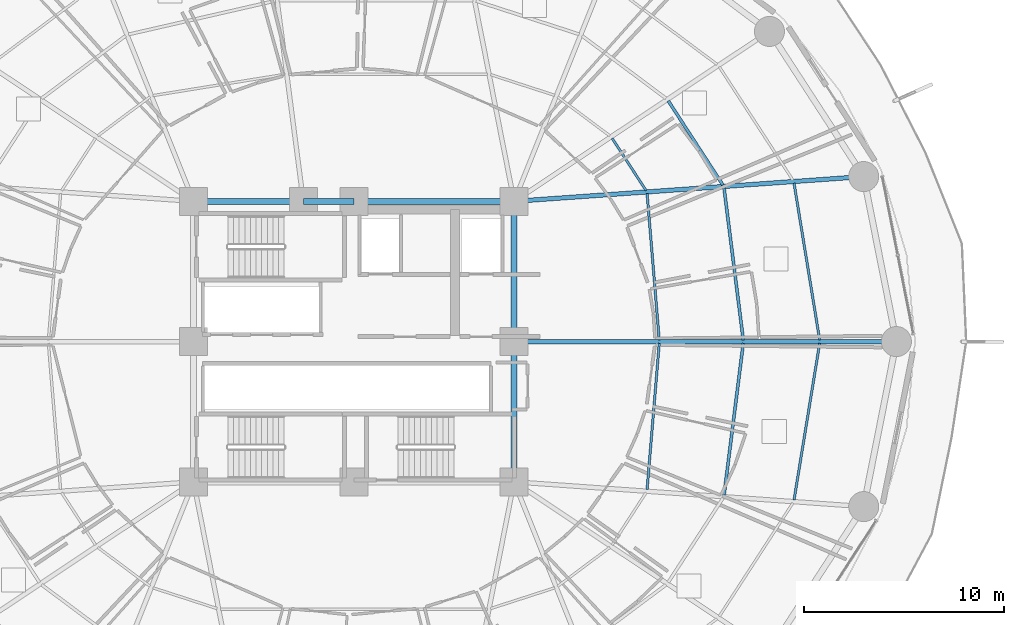
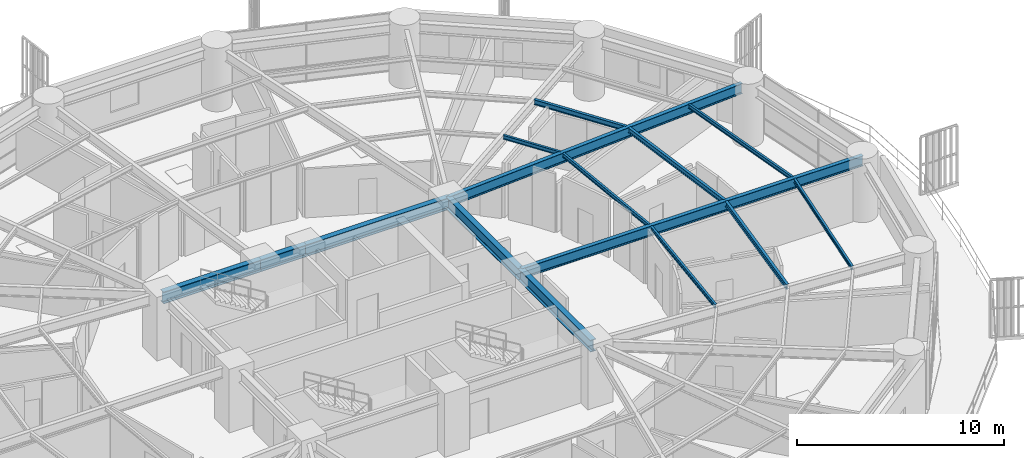
# One storey, part 12 of 35: 15 beams.
"""IFC4 building model written with IfcOpenShell, lengths in metres."""

from ifc_helpers import new_model, si_unit, direction, frame, origin, origin_2d, place, context, subcontext, project, spatial, i_section, extrude, material, material_profile, profile_set, type_object, element, save


model = new_model("IFC4")

# Units and contexts
model_context = context("Model", 3, precision=1e-05, world=origin(), true_north=direction((0.0, 1.0)))
body_context = subcontext(model_context, "Body", "Model", "MODEL_VIEW")
ifc_project = project(units=[si_unit("LENGTHUNIT", "METRE"), si_unit("AREAUNIT", "SQUARE_METRE"), si_unit("VOLUMEUNIT", "CUBIC_METRE"), si_unit("PLANEANGLEUNIT", "RADIAN"), si_unit("MASSUNIT", "GRAM", prefix="KILO")], contexts=[model_context])

# Site, building, storey
site_placement = place(None, origin())
site = spatial("IfcSite", under=ifc_project, at=site_placement, CompositionType="ELEMENT")
building_placement = place(site_placement, origin())
building = spatial("IfcBuilding", under=site, at=building_placement, Name="Kelanora Arch Commons", CompositionType="ELEMENT")
storey_placement = place(building_placement, frame((0.0, 0.0, 22.5)))
storey = spatial("IfcBuildingStorey", under=building, at=storey_placement, Name="L05", CompositionType="ELEMENT", Elevation=22.5)

# Beams
ifc_material = material(Name="Steel S355", Category="steel")
ifc_material_profile_1 = material_profile(ifc_material, i_section(OverallWidth=0.300048828125, OverallDepth=0.699951171875, WebThickness=0.01708984375, FlangeThickness=0.031982421875, FilletRadius=0.027099609375, at=origin_2d()), Name="HEB700")
ifc_profile_set_1 = profile_set([ifc_material_profile_1], Name="Steel S355")
beam_type_1 = type_object("IfcBeamType", Name="BM-CORE-HDR", PredefinedType="BEAM", material=ifc_profile_set_1)
for number, where, z_axis, x_axis, name in (
    (1, (82.0, 51.0, 3.139892578125), (0.0, 1.0, 0.0), (-1.0, 0.0, 0.0), "Core Header Beam 03 L05"),
    (2, (82.0, 58.0, 3.139892578125), (0.0, 1.0, 0.0), (-1.0, 0.0, 0.0), "Core Header Beam 04 L05"),
):
    element("IfcBeam", number, at=place(storey_placement, frame(where, z_axis=z_axis, x_axis=x_axis)), inside=storey, type_object=beam_type_1, Name=name, PredefinedType="BEAM", context=body_context, shape_type="SweptSolid", body=[
        extrude(i_section(OverallWidth=0.300048828125, OverallDepth=0.699951171875, WebThickness=0.01708984375, FlangeThickness=0.031982421875, FilletRadius=0.027099609375, at=origin_2d()), origin(), (0.0, 0.0, 1.0), 7.0),
    ])
beam_1_placement = place(storey_placement, frame((82.0, 65.0, 3.139892578125), z_axis=(-1.0, 0.0, 0.0), x_axis=(0.0, -1.0, 0.0)))
element("IfcBeam", 3, at=beam_1_placement, inside=storey, type_object=beam_type_1, Name="Core Header Beam 05 L05", PredefinedType="BEAM", context=body_context, shape_type="SweptSolid", body=[
    extrude(i_section(OverallWidth=0.300048828125, OverallDepth=0.699951171875, WebThickness=0.01708984375, FlangeThickness=0.031982421875, FilletRadius=0.027099609375, at=origin_2d()), origin(), (0.0, 0.0, 1.0), 8.0),
])
beam_2_placement = place(storey_placement, frame((74.0, 65.0, 3.139892578125), z_axis=(-1.0, 0.0, 0.0), x_axis=(0.0, -1.0, 0.0)))
element("IfcBeam", 4, at=beam_2_placement, inside=storey, type_object=beam_type_1, Name="Core Header Beam 06 L05", PredefinedType="BEAM", context=body_context, shape_type="SweptSolid", body=[
    extrude(i_section(OverallWidth=0.300048828125, OverallDepth=0.699951171875, WebThickness=0.01708984375, FlangeThickness=0.031982421875, FilletRadius=0.027099609375, at=origin_2d()), origin(), (0.0, 0.0, 1.0), 2.52001953125),
])
beam_3_placement = place(storey_placement, frame((71.47998046875, 65.0, 3.139892578125), z_axis=(-1.0, 0.0, 0.0), x_axis=(0.0, -1.0, 0.0)))
element("IfcBeam", 5, at=beam_3_placement, inside=storey, type_object=beam_type_1, Name="Core Header Beam 07 L05", PredefinedType="BEAM", context=body_context, shape_type="SweptSolid", body=[
    extrude(i_section(OverallWidth=0.300048828125, OverallDepth=0.699951171875, WebThickness=0.01708984375, FlangeThickness=0.031982421875, FilletRadius=0.027099609375, at=origin_2d()), origin(), (0.0, 0.0, 1.0), 5.47998046875),
])
ifc_material_profile_2 = material_profile(ifc_material, i_section(OverallWidth=0.14990234375, OverallDepth=0.300048828125, WebThickness=0.007080078125, FlangeThickness=0.0107421875, FilletRadius=0.014892578125, at=origin_2d()), Name="IPE300")
ifc_profile_set_2 = profile_set([ifc_material_profile_2], Name="Steel S355")
beam_type_2 = type_object("IfcBeamType", Name="BM-JST-01", PredefinedType="JOIST", material=ifc_profile_set_2)
beam_4_placement = place(storey_placement, frame((93.437255859375, 58.084228515625, 3.340087890625), z_axis=(-0.125565841651, 0.992085288375, 0.0), x_axis=(-0.992085288375, -0.125565841651, 0.0)))
element("IfcBeam", 6, at=beam_4_placement, inside=storey, type_object=beam_type_2, Name="Secondary Chord Joist BJB-00 L05", PredefinedType="JOIST", context=body_context, shape_type="SweptSolid", body=[
    extrude(i_section(OverallWidth=0.14990234375, OverallDepth=0.300048828125, WebThickness=0.007080078125, FlangeThickness=0.0107421875, FilletRadius=0.014892578125, at=origin_2d()), origin(), (0.0, 0.0, 1.0), 7.63330078125),
])
beam_5_placement = place(storey_placement, frame((92.421875, 65.812744140625, 3.340087890625), z_axis=(-0.544551588245, 0.838727350061, 0.0), x_axis=(-0.838727350061, -0.544551588245, 0.0)))
element("IfcBeam", 7, at=beam_5_placement, inside=storey, type_object=beam_type_2, Name="Secondary Chord Joist BJB-02 L05", PredefinedType="JOIST", context=body_context, shape_type="SweptSolid", body=[
    extrude(i_section(OverallWidth=0.14990234375, OverallDepth=0.300048828125, WebThickness=0.007080078125, FlangeThickness=0.0107421875, FilletRadius=0.014892578125, at=origin_2d()), origin(), (0.0, 0.0, 1.0), 5.010986328125),
])
beam_6_placement = place(storey_placement, frame((92.478759765625, 50.3427734375, 3.340087890625), z_axis=(0.125565841651, 0.992085288375, 0.0), x_axis=(-0.992085288375, 0.125565841651, 0.0)))
element("IfcBeam", 8, at=beam_6_placement, inside=storey, type_object=beam_type_2, Name="Secondary Chord Joist BJB-34 L05", PredefinedType="JOIST", context=body_context, shape_type="SweptSolid", body=[
    extrude(i_section(OverallWidth=0.14990234375, OverallDepth=0.300048828125, WebThickness=0.007080078125, FlangeThickness=0.0107421875, FilletRadius=0.014892578125, at=origin_2d()), origin(), (0.0, 0.0, 1.0), 7.63330078125),
])
ifc_material_profile_3 = material_profile(ifc_material, i_section(OverallWidth=0.1201171875, OverallDepth=0.239990234375, WebThickness=0.006103515625, FlangeThickness=0.009765625, FilletRadius=0.014892578125, at=origin_2d()), Name="IPE240")
ifc_profile_set_3 = profile_set([ifc_material_profile_3], Name="Steel S355")
beam_type_3 = type_object("IfcBeamType", Name="BM-JST-02", PredefinedType="JOIST", material=ifc_profile_set_3)
beam_7_placement = place(storey_placement, frame((89.243408203125, 58.084716796875, 3.3701171875), z_axis=(-0.082786209886, 0.996567330115, 0.0), x_axis=(-0.996567330115, -0.082786209886, 0.0)))
element("IfcBeam", 9, at=beam_7_placement, inside=storey, type_object=beam_type_3, Name="Secondary Chord Joist BJA-00 L05", PredefinedType="JOIST", context=body_context, shape_type="SweptSolid", body=[
    extrude(i_section(OverallWidth=0.1201171875, OverallDepth=0.239990234375, WebThickness=0.006103515625, FlangeThickness=0.009765625, FilletRadius=0.014892578125, at=origin_2d()), origin(), (0.0, 0.0, 1.0), 7.325439453125),
])
beam_8_placement = place(storey_placement, frame((97.250244140625, 58.083984375, 3.3701171875), z_axis=(-0.161400737199, 0.986888951216, 0.0), x_axis=(-0.986888951216, -0.161400737199, 0.0)))
element("IfcBeam", 10, at=beam_8_placement, inside=storey, type_object=beam_type_3, Name="Secondary Chord Joist BJC-00 L05", PredefinedType="JOIST", context=body_context, shape_type="SweptSolid", body=[
    extrude(i_section(OverallWidth=0.1201171875, OverallDepth=0.239990234375, WebThickness=0.006103515625, FlangeThickness=0.009765625, FilletRadius=0.014892578125, at=origin_2d()), origin(), (0.0, 0.0, 1.0), 7.9248046875),
])
beam_9_placement = place(storey_placement, frame((88.58349609375, 65.541015625, 3.3701171875), z_axis=(-0.544591105858, 0.838701691557, 0.0), x_axis=(-0.838701691557, -0.544591105858, 0.0)))
element("IfcBeam", 11, at=beam_9_placement, inside=storey, type_object=beam_type_3, Name="Secondary Chord Joist BJA-02 L05", PredefinedType="JOIST", context=body_context, shape_type="SweptSolid", body=[
    extrude(i_section(OverallWidth=0.1201171875, OverallDepth=0.239990234375, WebThickness=0.006103515625, FlangeThickness=0.009765625, FilletRadius=0.014892578125, at=origin_2d()), origin(), (0.0, 0.0, 1.0), 3.111328125),
])
beam_10_placement = place(storey_placement, frame((88.636962890625, 50.614990234375, 3.3701171875), z_axis=(0.082786209886, 0.996567330115, 0.0), x_axis=(-0.996567330115, 0.082786209886, 0.0)))
element("IfcBeam", 12, at=beam_10_placement, inside=storey, type_object=beam_type_3, Name="Secondary Chord Joist BJA-34 L05", PredefinedType="JOIST", context=body_context, shape_type="SweptSolid", body=[
    extrude(i_section(OverallWidth=0.1201171875, OverallDepth=0.239990234375, WebThickness=0.006103515625, FlangeThickness=0.009765625, FilletRadius=0.014892578125, at=origin_2d()), origin(), (0.0, 0.0, 1.0), 7.325439453125),
])
beam_11_placement = place(storey_placement, frame((95.97119140625, 50.09521484375, 3.3701171875), z_axis=(0.161400737199, 0.986888951216, 0.0), x_axis=(-0.986888951216, 0.161400737199, 0.0)))
element("IfcBeam", 13, at=beam_11_placement, inside=storey, type_object=beam_type_3, Name="Secondary Chord Joist BJC-34 L05", PredefinedType="JOIST", context=body_context, shape_type="SweptSolid", body=[
    extrude(i_section(OverallWidth=0.1201171875, OverallDepth=0.239990234375, WebThickness=0.006103515625, FlangeThickness=0.009765625, FilletRadius=0.014892578125, at=origin_2d()), origin(), (0.0, 0.0, 1.0), 7.9248046875),
])
ifc_material_profile_4 = material_profile(ifc_material, i_section(OverallWidth=0.219970703125, OverallDepth=0.60009765625, WebThickness=0.011962890625, FlangeThickness=0.01904296875, FilletRadius=0.02392578125, at=origin_2d()), Name="IPE600")
ifc_profile_set_4 = profile_set([ifc_material_profile_4], Name="Steel S355")
beam_type_4 = type_object("IfcBeamType", Name="BM-RAD-Z1", PredefinedType="BEAM", material=ifc_profile_set_4)
beam_12_placement = place(storey_placement, frame((82.0, 58.0, 3.18994140625), z_axis=(1.0, 0.0, 0.0), x_axis=(0.0, 1.0, 0.0)))
element("IfcBeam", 14, at=beam_12_placement, inside=storey, type_object=beam_type_4, Name="Radial Floor Girder BR-00 L05", PredefinedType="BEAM", context=body_context, shape_type="SweptSolid", body=[
    extrude(i_section(OverallWidth=0.219970703125, OverallDepth=0.60009765625, WebThickness=0.011962890625, FlangeThickness=0.01904296875, FilletRadius=0.02392578125, at=origin_2d()), origin(), (0.0, 0.0, 1.0), 19.080078125),
])
beam_13_placement = place(storey_placement, frame((82.0, 65.0, 3.18994140625), z_axis=(0.997500678462, 0.070656892572, 0.0), x_axis=(-0.070656892572, 0.997500678462, 0.0)))
element("IfcBeam", 15, at=beam_13_placement, inside=storey, type_object=beam_type_4, Name="Radial Floor Girder BR-02 L05", PredefinedType="BEAM", context=body_context, shape_type="SweptSolid", body=[
    extrude(i_section(OverallWidth=0.219970703125, OverallDepth=0.60009765625, WebThickness=0.011962890625, FlangeThickness=0.01904296875, FilletRadius=0.02392578125, at=origin_2d()), origin(), (0.0, 0.0, 1.0), 17.110595703125),
])

save(model, "model.ifc")
